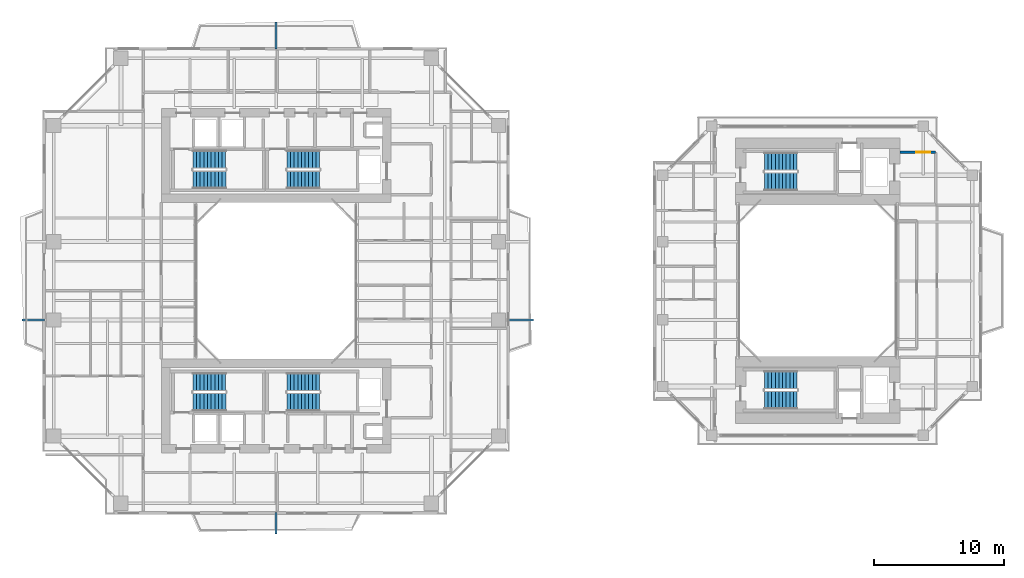
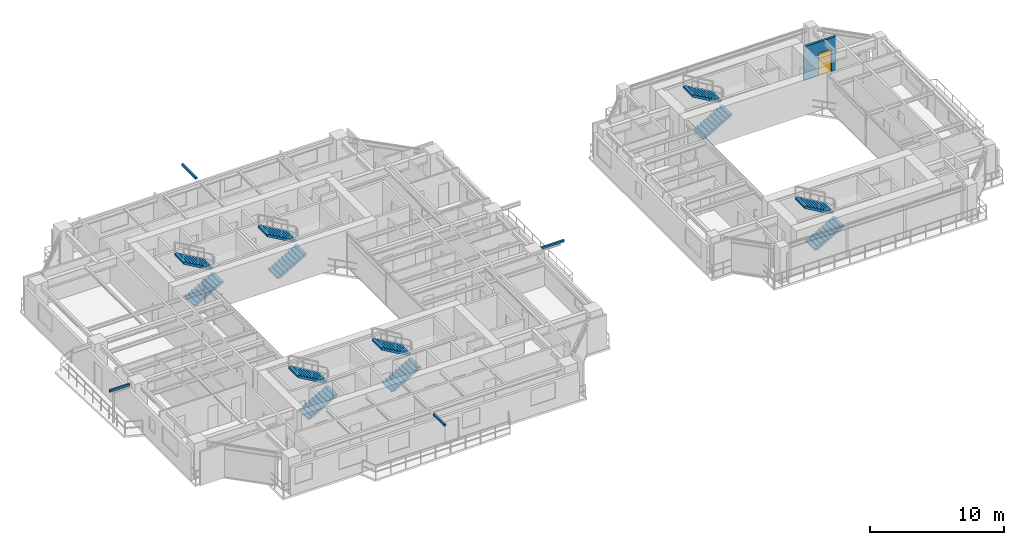
# One storey, part 19 of 23: 12 stair flights, 4 discrete accessories, 1 door, 1 wall, 1 opening, 6 elements without a shape of their own.
"""IFC4 building model written with IfcOpenShell, lengths in metres."""

from ifc_helpers import new_model, si_unit, direction, frame, frame_2d, origin, origin_2d, place, context, subcontext, project, spatial, polyline, rectangle, outline, extrude, source, transform, mapped, material, layer, layer_set, type_object, element, fill, aggregate, save


model = new_model("IFC4")

# Units and contexts
model_context = context("Model", 3, precision=1e-05, world=origin(), true_north=direction((0.0, 1.0)))
body_context = subcontext(model_context, "Body", "Model", "MODEL_VIEW")
ifc_project = project(units=[si_unit("LENGTHUNIT", "METRE"), si_unit("AREAUNIT", "SQUARE_METRE"), si_unit("VOLUMEUNIT", "CUBIC_METRE"), si_unit("PLANEANGLEUNIT", "RADIAN"), si_unit("MASSUNIT", "GRAM", prefix="KILO"), si_unit("THERMODYNAMICTEMPERATUREUNIT", "KELVIN"), si_unit("POWERUNIT", "WATT")], contexts=[model_context])

# Site, building, storey
site_placement = place(None, origin())
site = spatial("IfcSite", under=ifc_project, at=site_placement, CompositionType="ELEMENT")
building_placement = place(site_placement, origin())
building = spatial("IfcBuilding", under=site, at=building_placement, Name="Qiaomeng Ring Towers", CompositionType="ELEMENT")
storey_placement = place(building_placement, frame((0.0, 0.0, 100.25)))
storey = spatial("IfcBuildingStorey", under=building, at=storey_placement, Name="L28", CompositionType="ELEMENT", Elevation=100.25)

# Wall, opening, door
ifc_material_1 = material(Name="Autoclaved aerated concrete block", Category="concrete")
ifc_layer = layer(ifc_material_1, 0.199951171875, Name="Autoclaved aerated concrete block")
ifc_layer_set = layer_set([ifc_layer], Name="Autoclaved aerated concrete block")
wall_type = type_object("IfcWallType", Name="ARC-WL-PW1", PredefinedType="PARTITIONING", material=ifc_layer_set)
wall_placement = place(storey_placement, frame((66.800048828125, 32.85009765625, 0.0), z_axis=(0.0, 0.0, 1.0), x_axis=(1.0, 0.0, 0.0)))
wall = element("IfcWall", 1, at=wall_placement, inside=storey, type_object=wall_type, Name="L28 Interior Wall PW1", PredefinedType="PARTITIONING", context=body_context, shape_type="SweptSolid", body=[
    extrude(rectangle(XDim=2.75, YDim=0.199951171875, at=frame_2d((1.375, 0.0))), origin(), (0.0, 0.0, 1.0), 3.070068359375),
])
opening_placement = place(wall_placement, frame((1.25, 0.0, 0.0)))
opening = element("IfcOpeningElement", 2, at=opening_placement, cuts=wall, Name="Opening FD3", PredefinedType="OPENING", context=body_context, shape_type="SweptSolid", body=[
    extrude(rectangle(XDim=1.10009765625, YDim=2.050048828125, at=frame_2d((0.550048828125, 1.02490234375))), frame((0.0, 0.10986328125, 0.0), z_axis=(0.0, -1.0, 0.0), x_axis=(1.0, 0.0, 0.0)), (0.0, 0.0, 1.0), 0.219970703125),
])
ifc_material_2 = material(Name="Galvanised steel", Category="steel")
door_type = type_object("IfcDoorType", Name="ARC-DR-FD3", OperationType="NOTDEFINED", PredefinedType="DOOR", material=ifc_material_2)
shared_shape_1 = source(origin(), body_context, "Body", "SweptSolid", [
    extrude(rectangle(XDim=1.10009765625, YDim=2.050048828125, at=frame_2d((0.550048828125, 1.02490234375))), frame((0.0, 0.02490234375, 0.0), z_axis=(0.0, -1.0, 0.0), x_axis=(1.0, 0.0, 0.0)), (0.0, 0.0, 1.0), 0.050048828125),
])
door_placement = place(opening_placement, origin())
door = element("IfcDoor", 3, at=door_placement, inside=storey, type_object=door_type, Name="L28 Door FD3", OperationType="SINGLE_SWING_LEFT", OverallHeight=2.050048828125, OverallWidth=1.10009765625, PredefinedType="DOOR", context=body_context, shape_type="MappedRepresentation", body=[
    mapped(shared_shape_1, transform((0.0, 0.0, 0.0), x_axis=(1.0, 0.0, 0.0), y_axis=(0.0, 1.0, 0.0), z_axis=(0.0, 0.0, 1.0), scale=1.0)),
])
fill(opening, door)

# Stair, stair flights
ifc_material_3 = material(Name="Precast concrete C40", Category="concrete")
stair_type = type_object("IfcStairType", Name="ARC-ST-325", PredefinedType="HALF_TURN_STAIR", material=ifc_material_3)
stair_1_placement = place(storey_placement, origin())
stair_1 = element("IfcStair", 4, at=stair_1_placement, inside=storey, type_object=stair_type, Name="L28 Tower 1 North Stair 1", PredefinedType="HALF_TURN_STAIR")
stair_flight_type = type_object("IfcStairFlightType", Name="ARC-ST-325-FL", PredefinedType="STRAIGHT", material=ifc_material_3)
shared_shape_2 = source(origin(), body_context, "Body", "SweptSolid", [
    extrude(outline(polyline([(0.0, 0.0), (0.0, 0.16259765625), (0.280029296875, 0.16259765625), (0.280029296875, 0.324951171875), (0.56005859375, 0.324951171875), (0.56005859375, 0.487548828125), (0.840087890625, 0.487548828125), (0.840087890625, 0.64990234375), (1.1201171875, 0.64990234375), (1.1201171875, 0.8125), (1.39990234375, 0.8125), (1.39990234375, 0.97509765625), (1.679931640625, 0.97509765625), (1.679931640625, 1.137451171875), (1.9599609375, 1.137451171875), (1.9599609375, 1.300048828125), (2.239990234375, 1.300048828125), (2.239990234375, 1.46240234375), (2.52001953125, 1.46240234375), (2.52001953125, 1.625), (2.52001953125, 1.2890625), (0.298583984375, 0.0), (0.0, 0.0)])), frame((0.0, 0.699951171875, 0.0), z_axis=(0.0, -1.0, 0.0), x_axis=(1.0, 0.0, 0.0)), (0.0, 0.0, 1.0), 1.39990234375),
])
stair_flight_1_placement = place(storey_placement, frame((12.6201171875, 30.75, 0.0), z_axis=(0.0, 0.0, 1.0), x_axis=(1.0, 0.0, 0.0)))
stair_flight_1 = element("IfcStairFlight", 5, at=stair_flight_1_placement, type_object=stair_flight_type, Name="ST1 flight 1", NumberOfRisers=10, NumberOfTreads=9, PredefinedType="STRAIGHT", RiserHeight=0.1625, TreadLength=0.28, context=body_context, shape_type="MappedRepresentation", body=[
    mapped(shared_shape_2, transform((0.0, 0.0, 0.0), x_axis=(1.0, 0.0, 0.0), y_axis=(0.0, 1.0, 0.0), z_axis=(0.0, 0.0, 1.0), scale=1.0)),
])
stair_flight_2_placement = place(storey_placement, frame((15.139892578125, 32.2900390625, 1.625), z_axis=(0.0, 0.0, 1.0), x_axis=(-1.0, 0.0, 0.0)))
stair_flight_2 = element("IfcStairFlight", 6, at=stair_flight_2_placement, type_object=stair_flight_type, Name="ST1 flight 2", NumberOfRisers=10, NumberOfTreads=9, PredefinedType="STRAIGHT", RiserHeight=0.1625, TreadLength=0.28, context=body_context, shape_type="MappedRepresentation", body=[
    mapped(shared_shape_2, transform((0.0, 0.0, 0.0), x_axis=(1.0, 0.0, 0.0), y_axis=(0.0, 1.0, 0.0), z_axis=(0.0, 0.0, 1.0), scale=1.0)),
])
aggregate(stair_1, [stair_flight_1, stair_flight_2])

stair_2_placement = place(storey_placement, origin())
stair_2 = element("IfcStair", 7, at=stair_2_placement, inside=storey, type_object=stair_type, Name="L28 Tower 1 North Stair 2", PredefinedType="HALF_TURN_STAIR")
stair_flight_3_placement = place(storey_placement, frame((19.820068359375, 30.75, 0.0), z_axis=(0.0, 0.0, 1.0), x_axis=(1.0, 0.0, 0.0)))
stair_flight_3 = element("IfcStairFlight", 8, at=stair_flight_3_placement, type_object=stair_flight_type, Name="ST2 flight 1", NumberOfRisers=10, NumberOfTreads=9, PredefinedType="STRAIGHT", RiserHeight=0.1625, TreadLength=0.28, context=body_context, shape_type="MappedRepresentation", body=[
    mapped(shared_shape_2, transform((0.0, 0.0, 0.0), x_axis=(1.0, 0.0, 0.0), y_axis=(0.0, 1.0, 0.0), z_axis=(0.0, 0.0, 1.0), scale=1.0)),
])
stair_flight_4_placement = place(storey_placement, frame((22.340087890625, 32.2900390625, 1.625), z_axis=(0.0, 0.0, 1.0), x_axis=(-1.0, 0.0, 0.0)))
stair_flight_4 = element("IfcStairFlight", 9, at=stair_flight_4_placement, type_object=stair_flight_type, Name="ST2 flight 2", NumberOfRisers=10, NumberOfTreads=9, PredefinedType="STRAIGHT", RiserHeight=0.1625, TreadLength=0.28, context=body_context, shape_type="MappedRepresentation", body=[
    mapped(shared_shape_2, transform((0.0, 0.0, 0.0), x_axis=(1.0, 0.0, 0.0), y_axis=(0.0, 1.0, 0.0), z_axis=(0.0, 0.0, 1.0), scale=1.0)),
])
aggregate(stair_2, [stair_flight_3, stair_flight_4])

stair_3_placement = place(storey_placement, origin())
stair_3 = element("IfcStair", 10, at=stair_3_placement, inside=storey, type_object=stair_type, Name="L28 Tower 1 South Stair 3", PredefinedType="HALF_TURN_STAIR")
stair_flight_5_placement = place(storey_placement, frame((12.6201171875, 13.7099609375, 0.0), z_axis=(0.0, 0.0, 1.0), x_axis=(1.0, 0.0, 0.0)))
stair_flight_5 = element("IfcStairFlight", 11, at=stair_flight_5_placement, type_object=stair_flight_type, Name="ST3 flight 1", NumberOfRisers=10, NumberOfTreads=9, PredefinedType="STRAIGHT", RiserHeight=0.1625, TreadLength=0.28, context=body_context, shape_type="MappedRepresentation", body=[
    mapped(shared_shape_2, transform((0.0, 0.0, 0.0), x_axis=(1.0, 0.0, 0.0), y_axis=(0.0, 1.0, 0.0), z_axis=(0.0, 0.0, 1.0), scale=1.0)),
])
stair_flight_6_placement = place(storey_placement, frame((15.139892578125, 15.25, 1.625), z_axis=(0.0, 0.0, 1.0), x_axis=(-1.0, 0.0, 0.0)))
stair_flight_6 = element("IfcStairFlight", 12, at=stair_flight_6_placement, type_object=stair_flight_type, Name="ST3 flight 2", NumberOfRisers=10, NumberOfTreads=9, PredefinedType="STRAIGHT", RiserHeight=0.1625, TreadLength=0.28, context=body_context, shape_type="MappedRepresentation", body=[
    mapped(shared_shape_2, transform((0.0, 0.0, 0.0), x_axis=(1.0, 0.0, 0.0), y_axis=(0.0, 1.0, 0.0), z_axis=(0.0, 0.0, 1.0), scale=1.0)),
])
aggregate(stair_3, [stair_flight_5, stair_flight_6])

stair_4_placement = place(storey_placement, origin())
stair_4 = element("IfcStair", 13, at=stair_4_placement, inside=storey, type_object=stair_type, Name="L28 Tower 1 South Stair 4", PredefinedType="HALF_TURN_STAIR")
stair_flight_7_placement = place(storey_placement, frame((19.820068359375, 13.7099609375, 0.0), z_axis=(0.0, 0.0, 1.0), x_axis=(1.0, 0.0, 0.0)))
stair_flight_7 = element("IfcStairFlight", 14, at=stair_flight_7_placement, type_object=stair_flight_type, Name="ST4 flight 1", NumberOfRisers=10, NumberOfTreads=9, PredefinedType="STRAIGHT", RiserHeight=0.1625, TreadLength=0.28, context=body_context, shape_type="MappedRepresentation", body=[
    mapped(shared_shape_2, transform((0.0, 0.0, 0.0), x_axis=(1.0, 0.0, 0.0), y_axis=(0.0, 1.0, 0.0), z_axis=(0.0, 0.0, 1.0), scale=1.0)),
])
stair_flight_8_placement = place(storey_placement, frame((22.340087890625, 15.25, 1.625), z_axis=(0.0, 0.0, 1.0), x_axis=(-1.0, 0.0, 0.0)))
stair_flight_8 = element("IfcStairFlight", 15, at=stair_flight_8_placement, type_object=stair_flight_type, Name="ST4 flight 2", NumberOfRisers=10, NumberOfTreads=9, PredefinedType="STRAIGHT", RiserHeight=0.1625, TreadLength=0.28, context=body_context, shape_type="MappedRepresentation", body=[
    mapped(shared_shape_2, transform((0.0, 0.0, 0.0), x_axis=(1.0, 0.0, 0.0), y_axis=(0.0, 1.0, 0.0), z_axis=(0.0, 0.0, 1.0), scale=1.0)),
])
aggregate(stair_4, [stair_flight_7, stair_flight_8])

stair_5_placement = place(storey_placement, origin())
stair_5 = element("IfcStair", 16, at=stair_5_placement, inside=storey, type_object=stair_type, Name="L28 Companion North Stair 5", PredefinedType="HALF_TURN_STAIR")
stair_flight_9_placement = place(storey_placement, frame((56.419921875, 30.60009765625, 0.0), z_axis=(0.0, 0.0, 1.0), x_axis=(1.0, 0.0, 0.0)))
stair_flight_9 = element("IfcStairFlight", 17, at=stair_flight_9_placement, type_object=stair_flight_type, Name="ST5 flight 1", NumberOfRisers=10, NumberOfTreads=9, PredefinedType="STRAIGHT", RiserHeight=0.1625, TreadLength=0.28, context=body_context, shape_type="MappedRepresentation", body=[
    mapped(shared_shape_2, transform((0.0, 0.0, 0.0), x_axis=(1.0, 0.0, 0.0), y_axis=(0.0, 1.0, 0.0), z_axis=(0.0, 0.0, 1.0), scale=1.0)),
])
stair_flight_10_placement = place(storey_placement, frame((58.93994140625, 32.139892578125, 1.625), z_axis=(0.0, 0.0, 1.0), x_axis=(-1.0, 0.0, 0.0)))
stair_flight_10 = element("IfcStairFlight", 18, at=stair_flight_10_placement, type_object=stair_flight_type, Name="ST5 flight 2", NumberOfRisers=10, NumberOfTreads=9, PredefinedType="STRAIGHT", RiserHeight=0.1625, TreadLength=0.28, context=body_context, shape_type="MappedRepresentation", body=[
    mapped(shared_shape_2, transform((0.0, 0.0, 0.0), x_axis=(1.0, 0.0, 0.0), y_axis=(0.0, 1.0, 0.0), z_axis=(0.0, 0.0, 1.0), scale=1.0)),
])
aggregate(stair_5, [stair_flight_9, stair_flight_10])

stair_6_placement = place(storey_placement, origin())
stair_6 = element("IfcStair", 19, at=stair_6_placement, inside=storey, type_object=stair_type, Name="L28 Companion South Stair 6", PredefinedType="HALF_TURN_STAIR")
stair_flight_11_placement = place(storey_placement, frame((56.419921875, 13.860107421875, 0.0), z_axis=(0.0, 0.0, 1.0), x_axis=(1.0, 0.0, 0.0)))
stair_flight_11 = element("IfcStairFlight", 20, at=stair_flight_11_placement, type_object=stair_flight_type, Name="ST6 flight 1", NumberOfRisers=10, NumberOfTreads=9, PredefinedType="STRAIGHT", RiserHeight=0.1625, TreadLength=0.28, context=body_context, shape_type="MappedRepresentation", body=[
    mapped(shared_shape_2, transform((0.0, 0.0, 0.0), x_axis=(1.0, 0.0, 0.0), y_axis=(0.0, 1.0, 0.0), z_axis=(0.0, 0.0, 1.0), scale=1.0)),
])
stair_flight_12_placement = place(storey_placement, frame((58.93994140625, 15.39990234375, 1.625), z_axis=(0.0, 0.0, 1.0), x_axis=(-1.0, 0.0, 0.0)))
stair_flight_12 = element("IfcStairFlight", 21, at=stair_flight_12_placement, type_object=stair_flight_type, Name="ST6 flight 2", NumberOfRisers=10, NumberOfTreads=9, PredefinedType="STRAIGHT", RiserHeight=0.1625, TreadLength=0.28, context=body_context, shape_type="MappedRepresentation", body=[
    mapped(shared_shape_2, transform((0.0, 0.0, 0.0), x_axis=(1.0, 0.0, 0.0), y_axis=(0.0, 1.0, 0.0), z_axis=(0.0, 0.0, 1.0), scale=1.0)),
])
aggregate(stair_6, [stair_flight_11, stair_flight_12])

# Discrete accessories
ifc_material_4 = material(Name="Stainless steel 316", Category="steel")
discrete_accessory_type = type_object("IfcDiscreteAccessoryType", Name="ARC-ACC-BRACKET", PredefinedType="BRACKET", material=ifc_material_4)
shared_shape_3 = source(origin(), body_context, "Body", "SweptSolid", [
    extrude(rectangle(XDim=0.159912109375, YDim=1.64990234375, at=origin_2d()), origin(), (0.0, 0.0, 1.0), 0.179931640625),
])
discrete_accessory_1_placement = place(storey_placement, frame((19.0, 4.425048828125, 2.89990234375), z_axis=(0.0, 0.0, 1.0), x_axis=(1.0, 0.0, 0.0)))
element("IfcDiscreteAccessory", 22, at=discrete_accessory_1_placement, inside=storey, type_object=discrete_accessory_type, Name="L28 Stainless Outer-Skin Tie Bracket S", PredefinedType="BRACKET", context=body_context, shape_type="MappedRepresentation", body=[
    mapped(shared_shape_3, transform((0.0, 0.0, 0.0), x_axis=(1.0, 0.0, 0.0), y_axis=(0.0, 1.0, 0.0), z_axis=(0.0, 0.0, 1.0), scale=1.0)),
])
shared_shape_4 = source(origin(), body_context, "Body", "SweptSolid", [
    extrude(rectangle(XDim=1.989990234375, YDim=0.159912109375, at=origin_2d()), origin(), (0.0, 0.0, 1.0), 0.179931640625),
])
discrete_accessory_2_placement = place(storey_placement, frame((37.7451171875, 20.0, 2.89990234375), z_axis=(0.0, 0.0, 1.0), x_axis=(1.0, 0.0, 0.0)))
element("IfcDiscreteAccessory", 23, at=discrete_accessory_2_placement, inside=storey, type_object=discrete_accessory_type, Name="L28 Stainless Outer-Skin Tie Bracket E", PredefinedType="BRACKET", context=body_context, shape_type="MappedRepresentation", body=[
    mapped(shared_shape_4, transform((0.0, 0.0, 0.0), x_axis=(1.0, 0.0, 0.0), y_axis=(0.0, 1.0, 0.0), z_axis=(0.0, 0.0, 1.0), scale=1.0)),
])
shared_shape_5 = source(origin(), body_context, "Body", "SweptSolid", [
    extrude(rectangle(XDim=0.159912109375, YDim=2.090087890625, at=origin_2d()), origin(), (0.0, 0.0, 1.0), 0.179931640625),
])
discrete_accessory_3_placement = place(storey_placement, frame((19.0, 41.794921875, 2.89990234375), z_axis=(0.0, 0.0, 1.0), x_axis=(1.0, 0.0, 0.0)))
element("IfcDiscreteAccessory", 24, at=discrete_accessory_3_placement, inside=storey, type_object=discrete_accessory_type, Name="L28 Stainless Outer-Skin Tie Bracket N", PredefinedType="BRACKET", context=body_context, shape_type="MappedRepresentation", body=[
    mapped(shared_shape_5, transform((0.0, 0.0, 0.0), x_axis=(1.0, 0.0, 0.0), y_axis=(0.0, 1.0, 0.0), z_axis=(0.0, 0.0, 1.0), scale=1.0)),
])
shared_shape_6 = source(origin(), body_context, "Body", "SweptSolid", [
    extrude(rectangle(XDim=1.72998046875, YDim=0.159912109375, at=origin_2d()), origin(), (0.0, 0.0, 1.0), 0.179931640625),
])
discrete_accessory_4_placement = place(storey_placement, frame((0.385009765625, 20.0, 2.89990234375), z_axis=(0.0, 0.0, 1.0), x_axis=(1.0, 0.0, 0.0)))
element("IfcDiscreteAccessory", 25, at=discrete_accessory_4_placement, inside=storey, type_object=discrete_accessory_type, Name="L28 Stainless Outer-Skin Tie Bracket W", PredefinedType="BRACKET", context=body_context, shape_type="MappedRepresentation", body=[
    mapped(shared_shape_6, transform((0.0, 0.0, 0.0), x_axis=(1.0, 0.0, 0.0), y_axis=(0.0, 1.0, 0.0), z_axis=(0.0, 0.0, 1.0), scale=1.0)),
])

save(model, "model.ifc")
